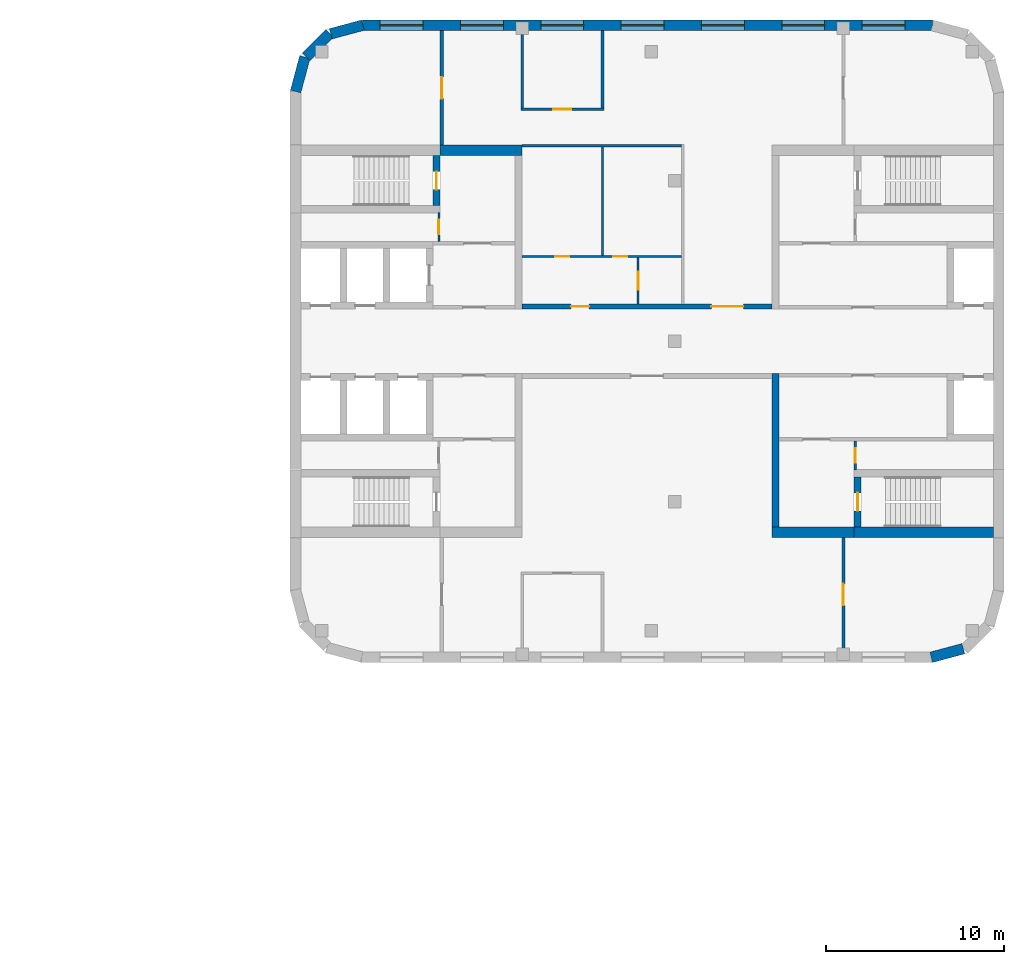
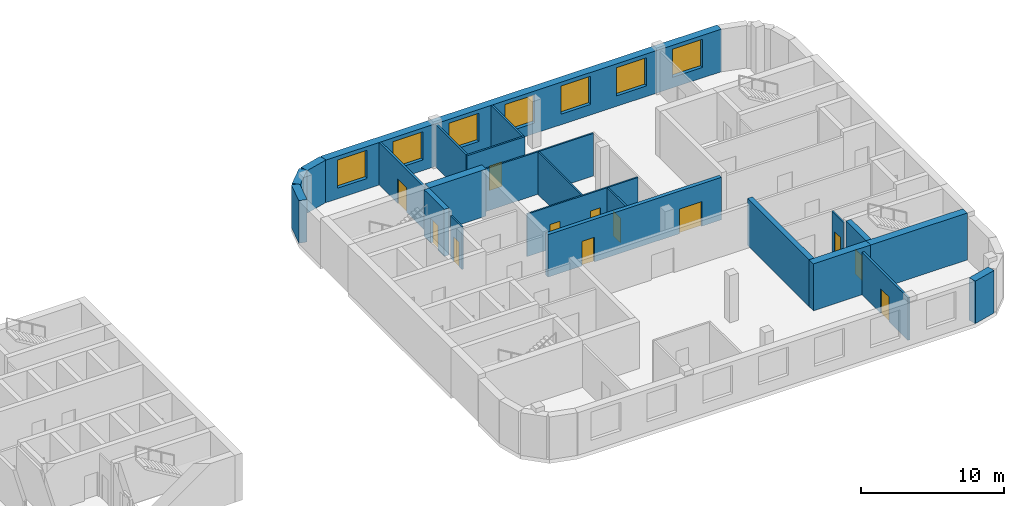
# One storey, part 8 of 12: 23 walls, 12 doors, 7 windows, 19 openings.
"""IFC4 building model written with IfcOpenShell, lengths in metres."""

from ifc_helpers import new_model, si_unit, direction, frame, frame_2d, origin, place, context, subcontext, project, spatial, rectangle, extrude, material, layer, layer_set, type_object, element, fill, save


model = new_model("IFC4")

# Units and contexts
model_context = context("Model", 3, precision=1e-05, world=origin(), true_north=direction((0.0, 1.0)))
body_context = subcontext(model_context, "Body", "Model", "MODEL_VIEW")
ifc_project = project(units=[si_unit("LENGTHUNIT", "METRE"), si_unit("AREAUNIT", "SQUARE_METRE"), si_unit("VOLUMEUNIT", "CUBIC_METRE"), si_unit("PLANEANGLEUNIT", "RADIAN"), si_unit("MASSUNIT", "GRAM", prefix="KILO")], contexts=[model_context])

# Site, building, storey
site_placement = place(None, origin())
site = spatial("IfcSite", under=ifc_project, at=site_placement, CompositionType="ELEMENT")
building_placement = place(site_placement, origin())
building = spatial("IfcBuilding", under=site, at=building_placement, Name="Skarvind Civic Tower", CompositionType="ELEMENT")
storey_placement = place(building_placement, frame((0.0, 0.0, 59.5)))
storey = spatial("IfcBuildingStorey", under=building, at=storey_placement, Name="L13", CompositionType="ELEMENT", Elevation=59.5)

# Wall, opening, door
ifc_material_1 = material(Name="Acoustic gypsum board on steel studs", Category="steel")
ifc_layer_1 = layer(ifc_material_1, 0.175048828125)
ifc_layer_set_1 = layer_set([ifc_layer_1], Name="ACOUSTIC MEETING-ROOM PARTITION 175")
wall_type_1 = type_object("IfcWallType", Name="ACOUSTIC MEETING-ROOM PARTITION 175", PredefinedType="PARTITIONING", material=ifc_layer_set_1)
wall_1_placement = place(storey_placement, frame((135.5, 145.39990234375, 0.0), z_axis=(0.0, 0.0, 1.0), x_axis=(0.0, -1.0, 0.0)))
wall_1 = element("IfcWall", 1, at=wall_1_placement, inside=storey, type_object=wall_type_1, Name="Partition 13.002", PredefinedType="PARTITIONING", context=body_context, shape_type="SweptSolid", body=[
    extrude(rectangle(XDim=6.39990234375, YDim=0.175048828125, at=frame_2d((3.199951171875, 0.0))), origin(), (0.0, 0.0, 1.0), 3.625),
])
opening_1_placement = place(wall_1_placement, frame((2.60009765625, 0.0, 0.0)))
opening_1 = element("IfcOpeningElement", 2, at=opening_1_placement, cuts=wall_1, Name="Opening L13-D107", PredefinedType="OPENING", context=body_context, shape_type="SweptSolid", body=[
    extrude(rectangle(XDim=1.199951171875, YDim=2.10009765625, at=frame_2d((0.60009765625, 1.050048828125))), frame((0.0, 0.097412109375, 0.0), z_axis=(0.0, -1.0, 0.0), x_axis=(1.0, 0.0, 0.0)), (0.0, 0.0, 1.0), 0.195068359375),
])
ifc_material_2 = material(Name="Timber door leaf", Category="wood")
door_type_1 = type_object("IfcDoorType", Name="DOOR 1200X2100 DOUBLE TIMBER", OperationType="NOTDEFINED", PredefinedType="DOOR", material=ifc_material_2)
door_1_placement = place(opening_1_placement, origin())
door_1 = element("IfcDoor", 3, at=door_1_placement, inside=storey, type_object=door_type_1, Name="Door L13-D107", OperationType="DOUBLE_DOOR_SINGLE_SWING", OverallHeight=2.10009765625, OverallWidth=1.199951171875, PredefinedType="DOOR", context=body_context, shape_type="SweptSolid", body=[
    extrude(rectangle(XDim=1.199951171875, YDim=2.10009765625, at=frame_2d((0.60009765625, 1.050048828125))), frame((0.0, 0.02490234375, 0.0), z_axis=(0.0, -1.0, 0.0), x_axis=(1.0, 0.0, 0.0)), (0.0, 0.0, 1.0), 0.050048828125),
])
fill(opening_1, door_1)

wall_2_placement = place(storey_placement, frame((158.0, 110.60009765625, 0.0), z_axis=(0.0, 0.0, 1.0), x_axis=(0.0, 1.0, 0.0)))
wall_2 = element("IfcWall", 4, at=wall_2_placement, inside=storey, type_object=wall_type_1, Name="Partition 13.016", PredefinedType="PARTITIONING", context=body_context, shape_type="SweptSolid", body=[
    extrude(rectangle(XDim=6.39990234375, YDim=0.175048828125, at=frame_2d((3.199951171875, 0.0))), origin(), (0.0, 0.0, 1.0), 3.625),
])
opening_2_placement = place(wall_2_placement, frame((2.60009765625, 0.0, 0.0)))
opening_2 = element("IfcOpeningElement", 5, at=opening_2_placement, cuts=wall_2, Name="Opening L13-D112", PredefinedType="OPENING", context=body_context, shape_type="SweptSolid", body=[
    extrude(rectangle(XDim=1.199951171875, YDim=2.10009765625, at=frame_2d((0.60009765625, 1.050048828125))), frame((0.0, 0.097412109375, 0.0), z_axis=(0.0, -1.0, 0.0), x_axis=(1.0, 0.0, 0.0)), (0.0, 0.0, 1.0), 0.195068359375),
])
door_2_placement = place(opening_2_placement, origin())
door_2 = element("IfcDoor", 6, at=door_2_placement, inside=storey, type_object=door_type_1, Name="Door L13-D112", OperationType="DOUBLE_DOOR_SINGLE_SWING", OverallHeight=2.10009765625, OverallWidth=1.199951171875, PredefinedType="DOOR", context=body_context, shape_type="SweptSolid", body=[
    extrude(rectangle(XDim=1.199951171875, YDim=2.10009765625, at=frame_2d((0.60009765625, 1.050048828125))), frame((0.0, 0.02490234375, 0.0), z_axis=(0.0, -1.0, 0.0), x_axis=(1.0, 0.0, 0.0)), (0.0, 0.0, 1.0), 0.050048828125),
])
fill(opening_2, door_2)

# Wall, openings, doors
ifc_material_3 = material(Name="Fire-rated gypsum board on steel studs", Category="steel")
ifc_layer_2 = layer(ifc_material_3, 0.300048828125)
ifc_layer_set_2 = layer_set([ifc_layer_2], Name="CORRIDOR WALL 300")
wall_type_2 = type_object("IfcWallType", Name="CORRIDOR WALL 300", PredefinedType="PARTITIONING", material=ifc_layer_set_2)
wall_3_placement = place(storey_placement, frame((140.0, 129.949951171875, 0.0), z_axis=(0.0, 0.0, 1.0), x_axis=(1.0, 0.0, 0.0)))
wall_3 = element("IfcWall", 7, at=wall_3_placement, inside=storey, type_object=wall_type_2, Name="Partition 13.005", PredefinedType="PARTITIONING", context=body_context, shape_type="SweptSolid", body=[
    extrude(rectangle(XDim=14.0, YDim=0.300048828125, at=frame_2d((7.0, 0.0))), origin(), (0.0, 0.0, 1.0), 3.625),
])
opening_3_placement = place(wall_3_placement, frame((2.75, 0.0, 0.0)))
opening_3 = element("IfcOpeningElement", 8, at=opening_3_placement, cuts=wall_3, Name="Opening L13-D101", PredefinedType="OPENING", context=body_context, shape_type="SweptSolid", body=[
    extrude(rectangle(XDim=1.0, YDim=2.10009765625, at=frame_2d((0.5, 1.050048828125))), frame((0.0, 0.159912109375, 0.0), z_axis=(0.0, -1.0, 0.0), x_axis=(1.0, 0.0, 0.0)), (0.0, 0.0, 1.0), 0.320068359375),
])
opening_4_placement = place(wall_3_placement, frame((10.60009765625, 0.0, 0.0)))
opening_4 = element("IfcOpeningElement", 9, at=opening_4_placement, cuts=wall_3, Name="Opening L13-D105", PredefinedType="OPENING", context=body_context, shape_type="SweptSolid", body=[
    extrude(rectangle(XDim=1.800048828125, YDim=2.10009765625, at=frame_2d((0.89990234375, 1.050048828125))), frame((0.0, 0.159912109375, 0.0), z_axis=(0.0, -1.0, 0.0), x_axis=(1.0, 0.0, 0.0)), (0.0, 0.0, 1.0), 0.320068359375),
])
ifc_material_4 = material(Name="Fire-rated timber door leaf", Category="wood")
door_type_2 = type_object("IfcDoorType", Name="FD1 1000x2100", OperationType="NOTDEFINED", PredefinedType="DOOR", material=ifc_material_4)
door_3_placement = place(opening_3_placement, origin())
door_3 = element("IfcDoor", 10, at=door_3_placement, inside=storey, type_object=door_type_2, Name="Door L13-D101", OperationType="SINGLE_SWING_LEFT", OverallHeight=2.10009765625, OverallWidth=1.0, PredefinedType="DOOR", context=body_context, shape_type="SweptSolid", body=[
    extrude(rectangle(XDim=1.0, YDim=2.10009765625, at=frame_2d((0.5, 1.050048828125))), frame((0.0, 0.02490234375, 0.0), z_axis=(0.0, -1.0, 0.0), x_axis=(1.0, 0.0, 0.0)), (0.0, 0.0, 1.0), 0.050048828125),
])
fill(opening_3, door_3)
door_type_3 = type_object("IfcDoorType", Name="FD4 1800x2100", OperationType="NOTDEFINED", PredefinedType="DOOR", material=ifc_material_4)
door_4_placement = place(opening_4_placement, origin())
door_4 = element("IfcDoor", 11, at=door_4_placement, inside=storey, type_object=door_type_3, Name="Door L13-D105", OperationType="DOUBLE_DOOR_SINGLE_SWING", OverallHeight=2.10009765625, OverallWidth=1.800048828125, PredefinedType="DOOR", context=body_context, shape_type="SweptSolid", body=[
    extrude(rectangle(XDim=1.800048828125, YDim=2.10009765625, at=frame_2d((0.89990234375, 1.050048828125))), frame((0.0, 0.02490234375, 0.0), z_axis=(0.0, -1.0, 0.0), x_axis=(1.0, 0.0, 0.0)), (0.0, 0.0, 1.0), 0.050048828125),
])
fill(opening_4, door_4)

# Wall, opening, door
ifc_material_5 = material(Name="Concrete C80", Category="concrete")
ifc_layer_3 = layer(ifc_material_5, 0.39990234375)
ifc_layer_set_3 = layer_set([ifc_layer_3], Name="Core wall 400 C80")
wall_type_3 = type_object("IfcWallType", Name="Core wall 400 C80", PredefinedType="SHEAR", material=ifc_layer_set_3)
wall_4_placement = place(storey_placement, frame((135.199951171875, 135.60009765625, 0.0), z_axis=(0.0, 0.0, 1.0), x_axis=(0.0, 1.0, 0.0)))
wall_4 = element("IfcWall", 12, at=wall_4_placement, inside=storey, type_object=wall_type_3, Name="Core wall CA north stair end L13", PredefinedType="SHEAR", context=body_context, shape_type="SweptSolid", body=[
    extrude(rectangle(XDim=2.7998046875, YDim=0.39990234375, at=frame_2d((1.39990234375, 0.0))), origin(), (0.0, 0.0, 1.0), 4.0),
])
opening_5_placement = place(wall_4_placement, frame((0.89990234375, 0.0, 0.0)))
opening_5 = element("IfcOpeningElement", 13, at=opening_5_placement, cuts=wall_4, Name="Opening D-L13-CA-08", PredefinedType="OPENING", context=body_context, shape_type="SweptSolid", body=[
    extrude(rectangle(XDim=1.0, YDim=2.10009765625, at=frame_2d((0.5, 1.050048828125))), frame((0.0, 0.2099609375, 0.0), z_axis=(0.0, -1.0, 0.0), x_axis=(1.0, 0.0, 0.0)), (0.0, 0.0, 1.0), 0.419921875),
])
ifc_material_6 = material(Name="Fire-rated steel door", Category="steel")
door_type_4 = type_object("IfcDoorType", Name="Fire door 1000", OperationType="NOTDEFINED", PredefinedType="DOOR", material=ifc_material_6)
door_5_placement = place(opening_5_placement, origin())
door_5 = element("IfcDoor", 14, at=door_5_placement, inside=storey, type_object=door_type_4, Name="Fire door", OperationType="SINGLE_SWING_LEFT", OverallHeight=2.10009765625, OverallWidth=1.0, PredefinedType="DOOR", context=body_context, shape_type="SweptSolid", body=[
    extrude(rectangle(XDim=1.0, YDim=2.10009765625, at=frame_2d((0.5, 1.050048828125))), frame((0.0, 0.02490234375, 0.0), z_axis=(0.0, -1.0, 0.0), x_axis=(1.0, 0.0, 0.0)), (0.0, 0.0, 1.0), 0.050048828125),
])
fill(opening_5, door_5)

wall_5_placement = place(storey_placement, frame((158.800048828125, 120.39990234375, 0.0), z_axis=(0.0, 0.0, 1.0), x_axis=(0.0, -1.0, 0.0)))
wall_5 = element("IfcWall", 15, at=wall_5_placement, inside=storey, type_object=wall_type_3, Name="Core wall CB north stair end L13", PredefinedType="SHEAR", context=body_context, shape_type="SweptSolid", body=[
    extrude(rectangle(XDim=2.7998046875, YDim=0.39990234375, at=frame_2d((1.39990234375, 0.0))), origin(), (0.0, 0.0, 1.0), 4.0),
])
opening_6_placement = place(wall_5_placement, frame((0.89990234375, 0.0, 0.0)))
opening_6 = element("IfcOpeningElement", 16, at=opening_6_placement, cuts=wall_5, Name="Opening D-L13-CB-05", PredefinedType="OPENING", context=body_context, shape_type="SweptSolid", body=[
    extrude(rectangle(XDim=1.0, YDim=2.10009765625, at=frame_2d((0.5, 1.050048828125))), frame((0.0, 0.2099609375, 0.0), z_axis=(0.0, -1.0, 0.0), x_axis=(1.0, 0.0, 0.0)), (0.0, 0.0, 1.0), 0.419921875),
])
door_6_placement = place(opening_6_placement, origin())
door_6 = element("IfcDoor", 17, at=door_6_placement, inside=storey, type_object=door_type_4, Name="Fire door", OperationType="SINGLE_SWING_LEFT", OverallHeight=2.10009765625, OverallWidth=1.0, PredefinedType="DOOR", context=body_context, shape_type="SweptSolid", body=[
    extrude(rectangle(XDim=1.0, YDim=2.10009765625, at=frame_2d((0.5, 1.050048828125))), frame((0.0, 0.02490234375, 0.0), z_axis=(0.0, -1.0, 0.0), x_axis=(1.0, 0.0, 0.0)), (0.0, 0.0, 1.0), 0.050048828125),
])
fill(opening_6, door_6)

# Walls
wall_6_placement = place(storey_placement, frame((154.199951171875, 126.199951171875, 0.0), z_axis=(0.0, 0.0, 1.0), x_axis=(0.0, -1.0, 0.0)))
element("IfcWall", 18, at=wall_6_placement, inside=storey, type_object=wall_type_3, Name="Core wall CB north inner face L13", PredefinedType="SHEAR", context=body_context, shape_type="SweptSolid", body=[
    extrude(rectangle(XDim=8.599853515625, YDim=0.39990234375, at=frame_2d((4.2998046875, 0.0))), origin(), (0.0, 0.0, 1.0), 4.0),
])
ifc_layer_4 = layer(ifc_material_5, 0.60009765625)
ifc_layer_set_4 = layer_set([ifc_layer_4], Name="Core wall 600 C80")
wall_type_4 = type_object("IfcWallType", Name="Core wall 600 C80", PredefinedType="SHEAR", material=ifc_layer_set_4)
wall_7_placement = place(storey_placement, frame((135.39990234375, 138.699951171875, 0.0), z_axis=(0.0, 0.0, 1.0), x_axis=(1.0, 0.0, 0.0)))
element("IfcWall", 19, at=wall_7_placement, inside=storey, type_object=wall_type_4, Name="Core wall CA north side L13", PredefinedType="SHEAR", context=body_context, shape_type="SweptSolid", body=[
    extrude(rectangle(XDim=4.60009765625, YDim=0.60009765625, at=frame_2d((2.300048828125, 0.0))), origin(), (0.0, 0.0, 1.0), 4.0),
])
wall_8_placement = place(storey_placement, frame((166.39990234375, 117.300048828125, 0.0), z_axis=(0.0, 0.0, 1.0), x_axis=(-1.0, 0.0, 0.0)))
element("IfcWall", 20, at=wall_8_placement, inside=storey, type_object=wall_type_4, Name="Core wall CB north side at the stair L13", PredefinedType="SHEAR", context=body_context, shape_type="SweptSolid", body=[
    extrude(rectangle(XDim=7.7998046875, YDim=0.60009765625, at=frame_2d((3.89990234375, 0.0))), origin(), (0.0, 0.0, 1.0), 4.0),
])
wall_9_placement = place(storey_placement, frame((158.60009765625, 117.300048828125, 0.0), z_axis=(0.0, 0.0, 1.0), x_axis=(-1.0, 0.0, 0.0)))
element("IfcWall", 21, at=wall_9_placement, inside=storey, type_object=wall_type_4, Name="Core wall CB north side L13", PredefinedType="SHEAR", context=body_context, shape_type="SweptSolid", body=[
    extrude(rectangle(XDim=4.60009765625, YDim=0.60009765625, at=frame_2d((2.300048828125, 0.0))), origin(), (0.0, 0.0, 1.0), 4.0),
])
ifc_material_7 = material(Name="Plasterboard partition on steel studs", Category="steel")
ifc_layer_5 = layer(ifc_material_7, 0.14990234375)
ifc_layer_set_5 = layer_set([ifc_layer_5], Name="PARTITION 150")
wall_type_5 = type_object("IfcWallType", Name="PARTITION 150", PredefinedType="PARTITIONING", material=ifc_layer_set_5)
wall_10_placement = place(storey_placement, frame((140.0, 141.074951171875, 0.0), z_axis=(0.0, 0.0, 1.0), x_axis=(0.0, 1.0, 0.0)))
element("IfcWall", 22, at=wall_10_placement, inside=storey, type_object=wall_type_5, Name="Partition 13.008", PredefinedType="PARTITIONING", context=body_context, shape_type="SweptSolid", body=[
    extrude(rectangle(XDim=4.324951171875, YDim=0.14990234375, at=frame_2d((2.16259765625, 0.0))), origin(), (0.0, 0.0, 1.0), 3.625),
])

# Wall, opening, door
wall_11_placement = place(storey_placement, frame((144.574951171875, 141.0, 0.0), z_axis=(0.0, 0.0, 1.0), x_axis=(-1.0, 0.0, 0.0)))
wall_11 = element("IfcWall", 23, at=wall_11_placement, inside=storey, type_object=wall_type_5, Name="Partition 13.011", PredefinedType="PARTITIONING", context=body_context, shape_type="SweptSolid", body=[
    extrude(rectangle(XDim=4.64990234375, YDim=0.14990234375, at=frame_2d((2.324951171875, 0.0))), origin(), (0.0, 0.0, 1.0), 3.625),
])
opening_7_placement = place(wall_11_placement, frame((1.824951171875, 0.0, 0.0)))
opening_7 = element("IfcOpeningElement", 24, at=opening_7_placement, cuts=wall_11, Name="Opening L13-D106", PredefinedType="OPENING", context=body_context, shape_type="SweptSolid", body=[
    extrude(rectangle(XDim=1.0, YDim=2.10009765625, at=frame_2d((0.5, 1.050048828125))), frame((0.0, 0.0849609375, 0.0), z_axis=(0.0, -1.0, 0.0), x_axis=(1.0, 0.0, 0.0)), (0.0, 0.0, 1.0), 0.169921875),
])
door_type_5 = type_object("IfcDoorType", Name="D1 1000x2100", OperationType="NOTDEFINED", PredefinedType="DOOR", material=ifc_material_2)
door_7_placement = place(opening_7_placement, origin())
door_7 = element("IfcDoor", 25, at=door_7_placement, inside=storey, type_object=door_type_5, Name="Door L13-D106", OperationType="SINGLE_SWING_LEFT", OverallHeight=2.10009765625, OverallWidth=1.0, PredefinedType="DOOR", context=body_context, shape_type="SweptSolid", body=[
    extrude(rectangle(XDim=1.0, YDim=2.10009765625, at=frame_2d((0.5, 1.050048828125))), frame((0.0, 0.02490234375, 0.0), z_axis=(0.0, -1.0, 0.0), x_axis=(1.0, 0.0, 0.0)), (0.0, 0.0, 1.0), 0.050048828125),
])
fill(opening_7, door_7)

# Wall
wall_12_placement = place(storey_placement, frame((144.5, 145.39990234375, 0.0), z_axis=(0.0, 0.0, 1.0), x_axis=(0.0, -1.0, 0.0)))
element("IfcWall", 26, at=wall_12_placement, inside=storey, type_object=wall_type_5, Name="Partition 13.012", PredefinedType="PARTITIONING", context=body_context, shape_type="SweptSolid", body=[
    extrude(rectangle(XDim=4.324951171875, YDim=0.14990234375, at=frame_2d((2.16259765625, 0.0))), origin(), (0.0, 0.0, 1.0), 3.625),
])

# Wall, opening, door
ifc_material_8 = material(Name="Fire-rated masonry partition", Category="masonry")
ifc_layer_6 = layer(ifc_material_8, 0.125)
ifc_layer_set_6 = layer_set([ifc_layer_6], Name="Riser wall 125")
wall_type_6 = type_object("IfcWallType", Name="Riser wall 125", PredefinedType="PARTITIONING", material=ifc_layer_set_6)
wall_13_placement = place(storey_placement, frame((135.33740234375, 135.199951171875, 0.0), z_axis=(0.0, 0.0, 1.0), x_axis=(0.0, -1.0, 0.0)))
wall_13 = element("IfcWall", 27, at=wall_13_placement, inside=storey, type_object=wall_type_6, Name="Core wall CA", PredefinedType="PARTITIONING", context=body_context, shape_type="SweptSolid", body=[
    extrude(rectangle(XDim=1.599853515625, YDim=0.125, at=frame_2d((0.7998046875, 0.0))), origin(), (0.0, 0.0, 1.0), 3.625),
])
opening_8_placement = place(wall_13_placement, frame((0.39990234375, 0.0, 0.0)))
opening_8 = element("IfcOpeningElement", 28, at=opening_8_placement, cuts=wall_13, Name="Opening D-L13-CA-09", PredefinedType="OPENING", context=body_context, shape_type="SweptSolid", body=[
    extrude(rectangle(XDim=0.800048828125, YDim=2.10009765625, at=frame_2d((0.39990234375, 1.050048828125))), frame((0.0, 0.072509765625, 0.0), z_axis=(0.0, -1.0, 0.0), x_axis=(1.0, 0.0, 0.0)), (0.0, 0.0, 1.0), 0.14501953125),
])
door_type_6 = type_object("IfcDoorType", Name="Core riser door 800", OperationType="NOTDEFINED", PredefinedType="DOOR", material=ifc_material_6)
door_8_placement = place(opening_8_placement, origin())
door_8 = element("IfcDoor", 29, at=door_8_placement, inside=storey, type_object=door_type_6, Name="Riser door", OperationType="SINGLE_SWING_RIGHT", OverallHeight=2.10009765625, OverallWidth=0.800048828125, PredefinedType="DOOR", context=body_context, shape_type="SweptSolid", body=[
    extrude(rectangle(XDim=0.800048828125, YDim=2.10009765625, at=frame_2d((0.39990234375, 1.050048828125))), frame((0.0, 0.02490234375, 0.0), z_axis=(0.0, -1.0, 0.0), x_axis=(1.0, 0.0, 0.0)), (0.0, 0.0, 1.0), 0.050048828125),
])
fill(opening_8, door_8)

wall_14_placement = place(storey_placement, frame((158.66259765625, 120.800048828125, 0.0), z_axis=(0.0, 0.0, 1.0), x_axis=(0.0, 1.0, 0.0)))
wall_14 = element("IfcWall", 30, at=wall_14_placement, inside=storey, type_object=wall_type_6, Name="Core wall CB", PredefinedType="PARTITIONING", context=body_context, shape_type="SweptSolid", body=[
    extrude(rectangle(XDim=1.599853515625, YDim=0.125, at=frame_2d((0.7998046875, 0.0))), origin(), (0.0, 0.0, 1.0), 3.625),
])
opening_9_placement = place(wall_14_placement, frame((0.39990234375, 0.0, 0.0)))
opening_9 = element("IfcOpeningElement", 31, at=opening_9_placement, cuts=wall_14, Name="Opening D-L13-CB-06", PredefinedType="OPENING", context=body_context, shape_type="SweptSolid", body=[
    extrude(rectangle(XDim=0.800048828125, YDim=2.10009765625, at=frame_2d((0.39990234375, 1.050048828125))), frame((0.0, 0.072509765625, 0.0), z_axis=(0.0, -1.0, 0.0), x_axis=(1.0, 0.0, 0.0)), (0.0, 0.0, 1.0), 0.14501953125),
])
door_9_placement = place(opening_9_placement, origin())
door_9 = element("IfcDoor", 32, at=door_9_placement, inside=storey, type_object=door_type_6, Name="Riser door", OperationType="SINGLE_SWING_RIGHT", OverallHeight=2.10009765625, OverallWidth=0.800048828125, PredefinedType="DOOR", context=body_context, shape_type="SweptSolid", body=[
    extrude(rectangle(XDim=0.800048828125, YDim=2.10009765625, at=frame_2d((0.39990234375, 1.050048828125))), frame((0.0, 0.02490234375, 0.0), z_axis=(0.0, -1.0, 0.0), x_axis=(1.0, 0.0, 0.0)), (0.0, 0.0, 1.0), 0.050048828125),
])
fill(opening_9, door_9)

# Wall, openings, doors
ifc_material_9 = material(Name="Moisture-resistant gypsum board on steel studs", Category="steel")
ifc_layer_7 = layer(ifc_material_9, 0.125)
ifc_layer_set_7 = layer_set([ifc_layer_7], Name="WC PARTITION 125")
wall_type_7 = type_object("IfcWallType", Name="WC PARTITION 125", PredefinedType="PARTITIONING", material=ifc_layer_set_7)
wall_15_placement = place(storey_placement, frame((140.0, 132.75, 0.0), z_axis=(0.0, 0.0, 1.0), x_axis=(1.0, 0.0, 0.0)))
wall_15 = element("IfcWall", 33, at=wall_15_placement, inside=storey, type_object=wall_type_7, Name="Partition 13.006", PredefinedType="PARTITIONING", context=body_context, shape_type="SweptSolid", body=[
    extrude(rectangle(XDim=8.93798828125, YDim=0.125, at=frame_2d((4.468994140625, 0.0))), origin(), (0.0, 0.0, 1.0), 3.625),
])
opening_10_placement = place(wall_15_placement, frame((1.85009765625, 0.0, 0.0)))
opening_10 = element("IfcOpeningElement", 34, at=opening_10_placement, cuts=wall_15, Name="Opening L13-D103", PredefinedType="OPENING", context=body_context, shape_type="SweptSolid", body=[
    extrude(rectangle(XDim=0.800048828125, YDim=2.10009765625, at=frame_2d((0.39990234375, 1.050048828125))), frame((0.0, 0.072509765625, 0.0), z_axis=(0.0, -1.0, 0.0), x_axis=(1.0, 0.0, 0.0)), (0.0, 0.0, 1.0), 0.14501953125),
])
opening_11_placement = place(wall_15_placement, frame((5.1015625, 0.0, 0.0)))
opening_11 = element("IfcOpeningElement", 35, at=opening_11_placement, cuts=wall_15, Name="Opening L13-D104", PredefinedType="OPENING", context=body_context, shape_type="SweptSolid", body=[
    extrude(rectangle(XDim=0.800048828125, YDim=2.10009765625, at=frame_2d((0.39990234375, 1.050048828125))), frame((0.0, 0.072509765625, 0.0), z_axis=(0.0, -1.0, 0.0), x_axis=(1.0, 0.0, 0.0)), (0.0, 0.0, 1.0), 0.14501953125),
])
door_type_7 = type_object("IfcDoorType", Name="DOOR 800X2100 TIMBER", OperationType="NOTDEFINED", PredefinedType="DOOR", material=ifc_material_2)
door_10_placement = place(opening_10_placement, origin())
door_10 = element("IfcDoor", 36, at=door_10_placement, inside=storey, type_object=door_type_7, Name="Door L13-D103", OperationType="SINGLE_SWING_LEFT", OverallHeight=2.10009765625, OverallWidth=0.800048828125, PredefinedType="DOOR", context=body_context, shape_type="SweptSolid", body=[
    extrude(rectangle(XDim=0.800048828125, YDim=2.10009765625, at=frame_2d((0.39990234375, 1.050048828125))), frame((0.0, 0.02490234375, 0.0), z_axis=(0.0, -1.0, 0.0), x_axis=(1.0, 0.0, 0.0)), (0.0, 0.0, 1.0), 0.050048828125),
])
fill(opening_10, door_10)
door_11_placement = place(opening_11_placement, origin())
door_11 = element("IfcDoor", 37, at=door_11_placement, inside=storey, type_object=door_type_7, Name="Door L13-D104", OperationType="SINGLE_SWING_LEFT", OverallHeight=2.10009765625, OverallWidth=0.800048828125, PredefinedType="DOOR", context=body_context, shape_type="SweptSolid", body=[
    extrude(rectangle(XDim=0.800048828125, YDim=2.10009765625, at=frame_2d((0.39990234375, 1.050048828125))), frame((0.0, 0.02490234375, 0.0), z_axis=(0.0, -1.0, 0.0), x_axis=(1.0, 0.0, 0.0)), (0.0, 0.0, 1.0), 0.050048828125),
])
fill(opening_11, door_11)

# Walls
wall_16_placement = place(storey_placement, frame((140.0, 138.949951171875, 0.0), z_axis=(0.0, 0.0, 1.0), x_axis=(1.0, 0.0, 0.0)))
element("IfcWall", 38, at=wall_16_placement, inside=storey, type_object=wall_type_7, Name="Partition 13.007", PredefinedType="PARTITIONING", context=body_context, shape_type="SweptSolid", body=[
    extrude(rectangle(XDim=8.93798828125, YDim=0.125, at=frame_2d((4.468994140625, 0.0))), origin(), (0.0, 0.0, 1.0), 3.625),
])
wall_17_placement = place(storey_placement, frame((144.5, 132.81201171875, 0.0), z_axis=(0.0, 0.0, 1.0), x_axis=(0.0, 1.0, 0.0)))
element("IfcWall", 39, at=wall_17_placement, inside=storey, type_object=wall_type_7, Name="Partition 13.010", PredefinedType="PARTITIONING", context=body_context, shape_type="SweptSolid", body=[
    extrude(rectangle(XDim=6.075927734375, YDim=0.125, at=frame_2d((3.0380859375, 0.0))), origin(), (0.0, 0.0, 1.0), 3.625),
])

# Wall, opening, door
wall_18_placement = place(storey_placement, frame((146.5, 132.68798828125, 0.0), z_axis=(0.0, 0.0, 1.0), x_axis=(0.0, -1.0, 0.0)))
wall_18 = element("IfcWall", 40, at=wall_18_placement, inside=storey, type_object=wall_type_7, Name="Partition 13.013", PredefinedType="PARTITIONING", context=body_context, shape_type="SweptSolid", body=[
    extrude(rectangle(XDim=2.587890625, YDim=0.125, at=frame_2d((1.2939453125, 0.0))), origin(), (0.0, 0.0, 1.0), 3.625),
])
opening_12_placement = place(wall_18_placement, frame((0.7939453125, 0.0, 0.0)))
opening_12 = element("IfcOpeningElement", 41, at=opening_12_placement, cuts=wall_18, Name="Opening L13-D102", PredefinedType="OPENING", context=body_context, shape_type="SweptSolid", body=[
    extrude(rectangle(XDim=1.0, YDim=2.10009765625, at=frame_2d((0.5, 1.050048828125))), frame((0.0, 0.072509765625, 0.0), z_axis=(0.0, -1.0, 0.0), x_axis=(1.0, 0.0, 0.0)), (0.0, 0.0, 1.0), 0.14501953125),
])
door_12_placement = place(opening_12_placement, origin())
door_12 = element("IfcDoor", 42, at=door_12_placement, inside=storey, type_object=door_type_5, Name="Door L13-D102", OperationType="SINGLE_SWING_RIGHT", OverallHeight=2.10009765625, OverallWidth=1.0, PredefinedType="DOOR", context=body_context, shape_type="SweptSolid", body=[
    extrude(rectangle(XDim=1.0, YDim=2.10009765625, at=frame_2d((0.5, 1.050048828125))), frame((0.0, 0.02490234375, 0.0), z_axis=(0.0, -1.0, 0.0), x_axis=(1.0, 0.0, 0.0)), (0.0, 0.0, 1.0), 0.050048828125),
])
fill(opening_12, door_12)

# Wall, openings, windows
ifc_material_10 = material(Name="Limestone masonry cladding on insulated backing", Category="masonry")
ifc_layer_8 = layer(ifc_material_10, 0.60009765625)
ifc_layer_set_8 = layer_set([ifc_layer_8], Name="WX1 STONE FACADE WALL 600")
wall_type_8 = type_object("IfcWallType", Name="WX1 STONE FACADE WALL 600", PredefinedType="SOLIDWALL", material=ifc_layer_set_8)
wall_19_placement = place(storey_placement, frame((131.070068359375, 145.699951171875, 0.0), z_axis=(0.0, 0.0, 1.0), x_axis=(1.0, 0.0, 0.0)))
wall_19 = element("IfcWall", 43, at=wall_19_placement, inside=storey, type_object=wall_type_8, Name="STONE FACADE WALL", PredefinedType="SOLIDWALL", context=body_context, shape_type="SweptSolid", body=[
    extrude(rectangle(XDim=31.929931640625, YDim=0.60009765625, at=frame_2d((15.96484375, 0.0))), origin(), (0.0, 0.0, 1.0), 3.625),
])
opening_13_placement = place(wall_19_placement, frame((0.97998046875, 0.0, 0.89990234375)))
opening_13 = element("IfcOpeningElement", 44, at=opening_13_placement, cuts=wall_19, Name="Opening WN9", PredefinedType="OPENING", context=body_context, shape_type="SweptSolid", body=[
    extrude(rectangle(XDim=2.39990234375, YDim=2.39990234375, at=frame_2d((1.199951171875, 1.199951171875))), frame((0.0, 0.31005859375, 0.0), z_axis=(0.0, -1.0, 0.0), x_axis=(1.0, 0.0, 0.0)), (0.0, 0.0, 1.0), 0.6201171875),
])
opening_14_placement = place(wall_19_placement, frame((5.47998046875, 0.0, 0.89990234375)))
opening_14 = element("IfcOpeningElement", 45, at=opening_14_placement, cuts=wall_19, Name="Opening WN9", PredefinedType="OPENING", context=body_context, shape_type="SweptSolid", body=[
    extrude(rectangle(XDim=2.39990234375, YDim=2.39990234375, at=frame_2d((1.199951171875, 1.199951171875))), frame((0.0, 0.31005859375, 0.0), z_axis=(0.0, -1.0, 0.0), x_axis=(1.0, 0.0, 0.0)), (0.0, 0.0, 1.0), 0.6201171875),
])
opening_15_placement = place(wall_19_placement, frame((9.97998046875, 0.0, 0.89990234375)))
opening_15 = element("IfcOpeningElement", 46, at=opening_15_placement, cuts=wall_19, Name="Opening WN9", PredefinedType="OPENING", context=body_context, shape_type="SweptSolid", body=[
    extrude(rectangle(XDim=2.39990234375, YDim=2.39990234375, at=frame_2d((1.199951171875, 1.199951171875))), frame((0.0, 0.31005859375, 0.0), z_axis=(0.0, -1.0, 0.0), x_axis=(1.0, 0.0, 0.0)), (0.0, 0.0, 1.0), 0.6201171875),
])
opening_16_placement = place(wall_19_placement, frame((14.47998046875, 0.0, 0.89990234375)))
opening_16 = element("IfcOpeningElement", 47, at=opening_16_placement, cuts=wall_19, Name="Opening WN9", PredefinedType="OPENING", context=body_context, shape_type="SweptSolid", body=[
    extrude(rectangle(XDim=2.39990234375, YDim=2.39990234375, at=frame_2d((1.199951171875, 1.199951171875))), frame((0.0, 0.31005859375, 0.0), z_axis=(0.0, -1.0, 0.0), x_axis=(1.0, 0.0, 0.0)), (0.0, 0.0, 1.0), 0.6201171875),
])
opening_17_placement = place(wall_19_placement, frame((18.97998046875, 0.0, 0.89990234375)))
opening_17 = element("IfcOpeningElement", 48, at=opening_17_placement, cuts=wall_19, Name="Opening WN9", PredefinedType="OPENING", context=body_context, shape_type="SweptSolid", body=[
    extrude(rectangle(XDim=2.39990234375, YDim=2.39990234375, at=frame_2d((1.199951171875, 1.199951171875))), frame((0.0, 0.31005859375, 0.0), z_axis=(0.0, -1.0, 0.0), x_axis=(1.0, 0.0, 0.0)), (0.0, 0.0, 1.0), 0.6201171875),
])
opening_18_placement = place(wall_19_placement, frame((23.47998046875, 0.0, 0.89990234375)))
opening_18 = element("IfcOpeningElement", 49, at=opening_18_placement, cuts=wall_19, Name="Opening WN9", PredefinedType="OPENING", context=body_context, shape_type="SweptSolid", body=[
    extrude(rectangle(XDim=2.39990234375, YDim=2.39990234375, at=frame_2d((1.199951171875, 1.199951171875))), frame((0.0, 0.31005859375, 0.0), z_axis=(0.0, -1.0, 0.0), x_axis=(1.0, 0.0, 0.0)), (0.0, 0.0, 1.0), 0.6201171875),
])
opening_19_placement = place(wall_19_placement, frame((27.97998046875, 0.0, 0.89990234375)))
opening_19 = element("IfcOpeningElement", 50, at=opening_19_placement, cuts=wall_19, Name="Opening WN9", PredefinedType="OPENING", context=body_context, shape_type="SweptSolid", body=[
    extrude(rectangle(XDim=2.39990234375, YDim=2.39990234375, at=frame_2d((1.199951171875, 1.199951171875))), frame((0.0, 0.31005859375, 0.0), z_axis=(0.0, -1.0, 0.0), x_axis=(1.0, 0.0, 0.0)), (0.0, 0.0, 1.0), 0.6201171875),
])
ifc_material_11 = material(Name="Timber frame, double glazing, timber-lined reveal", Category="wood")
window_type = type_object("IfcWindowType", Name="WN9 COMPANION TOWER WINDOW 2400 x 2400", PartitioningType="SINGLE_PANEL", PredefinedType="WINDOW", material=ifc_material_11)
window_1_placement = place(opening_13_placement, origin())
window_1 = element("IfcWindow", 51, at=window_1_placement, inside=storey, type_object=window_type, Name="WN9 WINDOW", OverallHeight=2.39990234375, OverallWidth=2.39990234375, PartitioningType="SINGLE_PANEL", PredefinedType="WINDOW", context=body_context, shape_type="SweptSolid", body=[
    extrude(rectangle(XDim=2.39990234375, YDim=2.39990234375, at=frame_2d((1.199951171875, 1.199951171875))), frame((0.0, 0.030029296875, 0.0), z_axis=(0.0, -1.0, 0.0), x_axis=(1.0, 0.0, 0.0)), (0.0, 0.0, 1.0), 0.06005859375),
])
fill(opening_13, window_1)
window_2_placement = place(opening_14_placement, origin())
window_2 = element("IfcWindow", 52, at=window_2_placement, inside=storey, type_object=window_type, Name="WN9 WINDOW", OverallHeight=2.39990234375, OverallWidth=2.39990234375, PartitioningType="SINGLE_PANEL", PredefinedType="WINDOW", context=body_context, shape_type="SweptSolid", body=[
    extrude(rectangle(XDim=2.39990234375, YDim=2.39990234375, at=frame_2d((1.199951171875, 1.199951171875))), frame((0.0, 0.030029296875, 0.0), z_axis=(0.0, -1.0, 0.0), x_axis=(1.0, 0.0, 0.0)), (0.0, 0.0, 1.0), 0.06005859375),
])
fill(opening_14, window_2)
window_3_placement = place(opening_15_placement, origin())
window_3 = element("IfcWindow", 53, at=window_3_placement, inside=storey, type_object=window_type, Name="WN9 WINDOW", OverallHeight=2.39990234375, OverallWidth=2.39990234375, PartitioningType="SINGLE_PANEL", PredefinedType="WINDOW", context=body_context, shape_type="SweptSolid", body=[
    extrude(rectangle(XDim=2.39990234375, YDim=2.39990234375, at=frame_2d((1.199951171875, 1.199951171875))), frame((0.0, 0.030029296875, 0.0), z_axis=(0.0, -1.0, 0.0), x_axis=(1.0, 0.0, 0.0)), (0.0, 0.0, 1.0), 0.06005859375),
])
fill(opening_15, window_3)
window_4_placement = place(opening_16_placement, origin())
window_4 = element("IfcWindow", 54, at=window_4_placement, inside=storey, type_object=window_type, Name="WN9 WINDOW", OverallHeight=2.39990234375, OverallWidth=2.39990234375, PartitioningType="SINGLE_PANEL", PredefinedType="WINDOW", context=body_context, shape_type="SweptSolid", body=[
    extrude(rectangle(XDim=2.39990234375, YDim=2.39990234375, at=frame_2d((1.199951171875, 1.199951171875))), frame((0.0, 0.030029296875, 0.0), z_axis=(0.0, -1.0, 0.0), x_axis=(1.0, 0.0, 0.0)), (0.0, 0.0, 1.0), 0.06005859375),
])
fill(opening_16, window_4)
window_5_placement = place(opening_17_placement, origin())
window_5 = element("IfcWindow", 55, at=window_5_placement, inside=storey, type_object=window_type, Name="WN9 WINDOW", OverallHeight=2.39990234375, OverallWidth=2.39990234375, PartitioningType="SINGLE_PANEL", PredefinedType="WINDOW", context=body_context, shape_type="SweptSolid", body=[
    extrude(rectangle(XDim=2.39990234375, YDim=2.39990234375, at=frame_2d((1.199951171875, 1.199951171875))), frame((0.0, 0.030029296875, 0.0), z_axis=(0.0, -1.0, 0.0), x_axis=(1.0, 0.0, 0.0)), (0.0, 0.0, 1.0), 0.06005859375),
])
fill(opening_17, window_5)
window_6_placement = place(opening_18_placement, origin())
window_6 = element("IfcWindow", 56, at=window_6_placement, inside=storey, type_object=window_type, Name="WN9 WINDOW", OverallHeight=2.39990234375, OverallWidth=2.39990234375, PartitioningType="SINGLE_PANEL", PredefinedType="WINDOW", context=body_context, shape_type="SweptSolid", body=[
    extrude(rectangle(XDim=2.39990234375, YDim=2.39990234375, at=frame_2d((1.199951171875, 1.199951171875))), frame((0.0, 0.030029296875, 0.0), z_axis=(0.0, -1.0, 0.0), x_axis=(1.0, 0.0, 0.0)), (0.0, 0.0, 1.0), 0.06005859375),
])
fill(opening_18, window_6)
window_7_placement = place(opening_19_placement, origin())
window_7 = element("IfcWindow", 57, at=window_7_placement, inside=storey, type_object=window_type, Name="WN9 WINDOW", OverallHeight=2.39990234375, OverallWidth=2.39990234375, PartitioningType="SINGLE_PANEL", PredefinedType="WINDOW", context=body_context, shape_type="SweptSolid", body=[
    extrude(rectangle(XDim=2.39990234375, YDim=2.39990234375, at=frame_2d((1.199951171875, 1.199951171875))), frame((0.0, 0.030029296875, 0.0), z_axis=(0.0, -1.0, 0.0), x_axis=(1.0, 0.0, 0.0)), (0.0, 0.0, 1.0), 0.06005859375),
])
fill(opening_19, window_7)

# Walls
for number, where, z_axis, x_axis, name in (
    (58, (129.280517578125, 145.228759765625, 0.0), (0.0, 0.0, 1.0), (0.965938094805, 0.258773254036, 0.0), "STONE FACADE WALL"),
    (59, (127.896484375, 143.936279296875, 0.0), (0.0, 0.0, 1.0), (0.707106781187, 0.707106781187, 0.0), "STONE FACADE WALL"),
):
    element("IfcWall", number, at=place(storey_placement, frame(where, z_axis=z_axis, x_axis=x_axis)), inside=storey, type_object=wall_type_8, Name=name, PredefinedType="SOLIDWALL", context=body_context, shape_type="SweptSolid", body=[
        extrude(rectangle(XDim=1.860595703125, YDim=0.60009765625, at=frame_2d((0.93017578125, 0.0))), origin(), (0.0, 0.0, 1.0), 3.625),
    ])
wall_20_placement = place(storey_placement, frame((127.307861328125, 141.989990234375, 0.0), z_axis=(0.0, 0.0, 1.0), x_axis=(0.258839784042, 0.965920269068, 0.0)))
element("IfcWall", 60, at=wall_20_placement, inside=storey, type_object=wall_type_8, Name="STONE FACADE WALL", PredefinedType="SOLIDWALL", context=body_context, shape_type="SweptSolid", body=[
    extrude(rectangle(XDim=2.00048828125, YDim=0.60009765625, at=frame_2d((1.000244140625, 0.0))), origin(), (0.0, 0.0, 1.0), 3.625),
])
wall_21_placement = place(storey_placement, frame((164.719482421875, 110.771240234375, 0.0), z_axis=(0.0, 0.0, 1.0), x_axis=(-0.965938094805, -0.258773254036, 0.0)))
element("IfcWall", 61, at=wall_21_placement, inside=storey, type_object=wall_type_8, Name="STONE FACADE WALL", PredefinedType="SOLIDWALL", context=body_context, shape_type="SweptSolid", body=[
    extrude(rectangle(XDim=1.860595703125, YDim=0.60009765625, at=frame_2d((0.93017578125, 0.0))), origin(), (0.0, 0.0, 1.0), 3.625),
])

save(model, "model.ifc")
